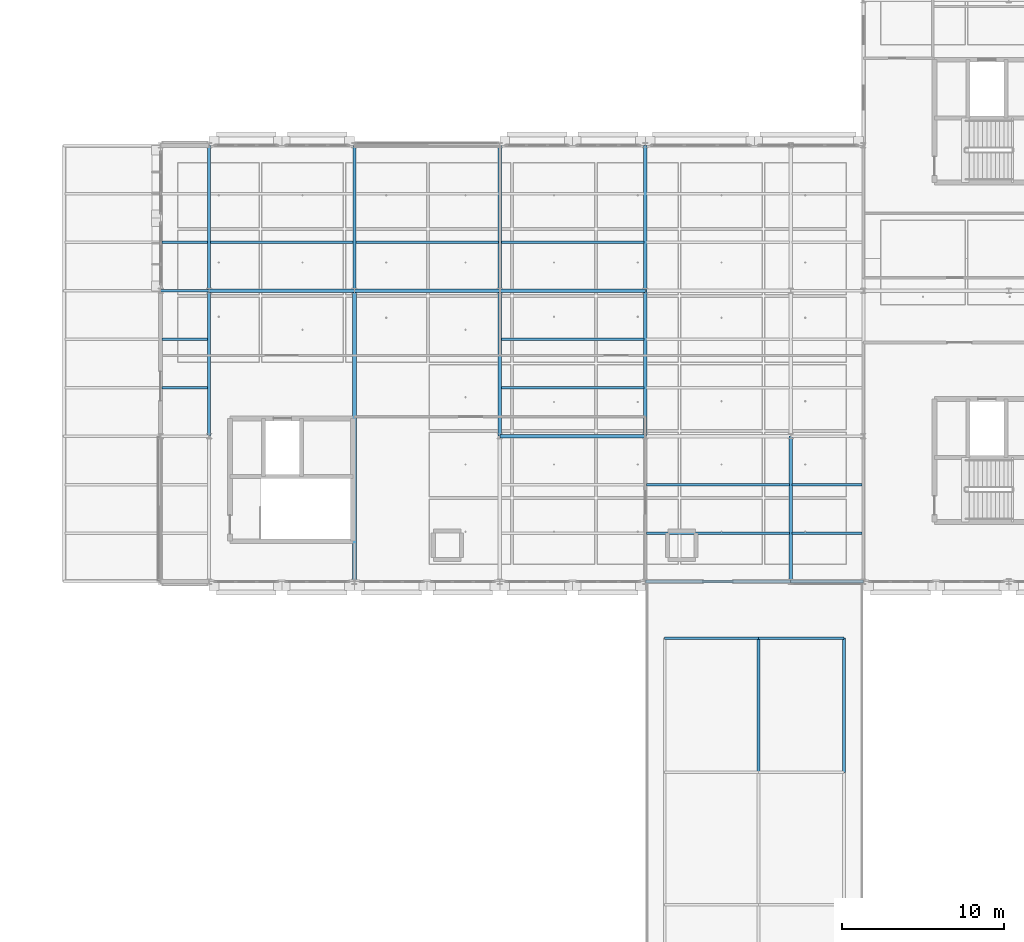
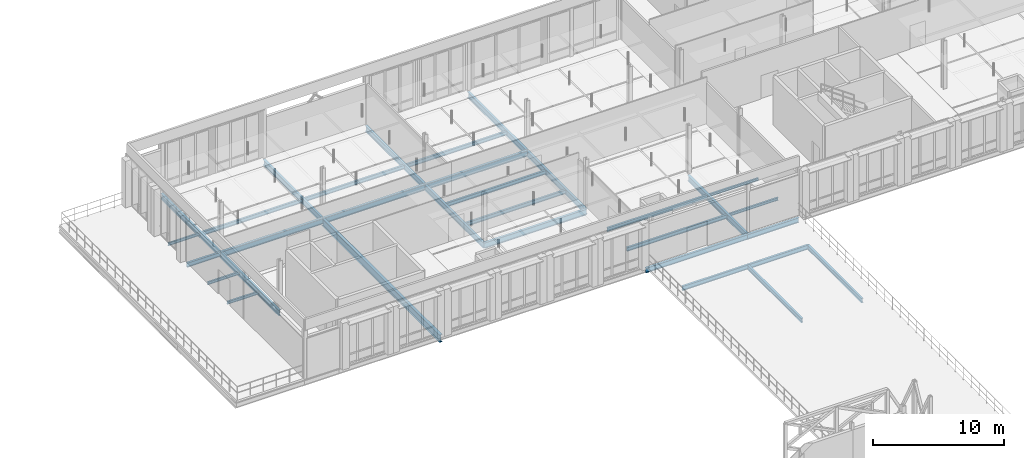
# One storey, part 24 of 89: 32 beams.
"""IFC4 building model written with IfcOpenShell, lengths in metres."""

from ifc_helpers import new_model, si_unit, direction, frame, origin, origin_2d, place, context, subcontext, project, spatial, i_section, extrude, material, material_profile, profile_set, type_object, element, save


model = new_model("IFC4")

# Units and contexts
model_context = context("Model", 3, precision=1e-05, world=origin(), true_north=direction((0.0, 1.0)))
body_context = subcontext(model_context, "Body", "Model", "MODEL_VIEW")
ifc_project = project(units=[si_unit("LENGTHUNIT", "METRE"), si_unit("AREAUNIT", "SQUARE_METRE"), si_unit("VOLUMEUNIT", "CUBIC_METRE"), si_unit("PLANEANGLEUNIT", "RADIAN"), si_unit("MASSUNIT", "GRAM", prefix="KILO"), si_unit("THERMODYNAMICTEMPERATUREUNIT", "KELVIN"), si_unit("POWERUNIT", "WATT")], contexts=[model_context])

# Site, building, storey
site_placement = place(None, origin())
site = spatial("IfcSite", under=ifc_project, at=site_placement, CompositionType="ELEMENT")
building_placement = place(site_placement, origin())
building = spatial("IfcBuilding", under=site, at=building_placement, Name="Tallowbark Science Centre", CompositionType="ELEMENT")
storey_placement = place(building_placement, frame((0.0, 0.0, 14.39990234375)))
storey = spatial("IfcBuildingStorey", under=building, at=storey_placement, Name="L03", CompositionType="ELEMENT", Elevation=14.39990234375)

# Beams
ifc_material = material(Name="Structural Steel Grade 300PLUS (300 MPa)", Category="steel")
ifc_material_profile_1 = material_profile(ifc_material, i_section(OverallWidth=0.177734375, OverallDepth=0.406494140625, WebThickness=0.0078125, FlangeThickness=0.0126953125, FilletRadius=0.011474609375, at=origin_2d()), Name="410UB59.7")
ifc_profile_set_1 = profile_set([ifc_material_profile_1], Name="Structural Steel Grade 300PLUS (300 MPa)")
beam_type_1 = type_object("IfcBeamType", Name="BM-UB410", PredefinedType="BEAM", material=ifc_profile_set_1)
beam_1_placement = place(storey_placement, frame((100.199951171875, 68.5, -0.447998046875), z_axis=(1.0, 0.0, 0.0), x_axis=(0.0, 1.0, 0.0)))
element("IfcBeam", 1, at=beam_1_placement, inside=storey, type_object=beam_type_1, Name="Primary Girder GRDX-L03-1002-1060-685", PredefinedType="BEAM", context=body_context, shape_type="SweptSolid", body=[
    extrude(i_section(OverallWidth=0.177734375, OverallDepth=0.406494140625, WebThickness=0.0078125, FlangeThickness=0.0126953125, FilletRadius=0.011474609375, at=origin_2d()), origin(), (0.0, 0.0, 1.0), 5.800048828125),
])
beam_2_placement = place(storey_placement, frame((106.0, 68.5, -0.447998046875), z_axis=(1.0, 0.0, 0.0), x_axis=(0.0, 1.0, 0.0)))
element("IfcBeam", 2, at=beam_2_placement, inside=storey, type_object=beam_type_1, Name="Primary Girder GRDX-L03-1060-1113-685", PredefinedType="BEAM", context=body_context, shape_type="SweptSolid", body=[
    extrude(i_section(OverallWidth=0.177734375, OverallDepth=0.406494140625, WebThickness=0.0078125, FlangeThickness=0.0126953125, FilletRadius=0.011474609375, at=origin_2d()), origin(), (0.0, 0.0, 1.0), 5.300048828125),
])
beam_3_placement = place(storey_placement, frame((69.0, 90.0, -0.383056640625), z_axis=(1.0, 0.0, 0.0), x_axis=(0.0, 1.0, 0.0)))
element("IfcBeam", 3, at=beam_3_placement, inside=storey, type_object=beam_type_1, Name="Primary Girder GRDX-L03-690-720-900", PredefinedType="BEAM", context=body_context, shape_type="SweptSolid", body=[
    extrude(i_section(OverallWidth=0.177734375, OverallDepth=0.406494140625, WebThickness=0.0078125, FlangeThickness=0.0126953125, FilletRadius=0.011474609375, at=origin_2d()), origin(), (0.0, 0.0, 1.0), 3.0),
])
for number, where, z_axis, x_axis, name in (
    (4, (106.0, 60.199951171875, -0.447998046875), (0.0, 1.0, 0.0), (-1.0, 0.0, 0.0), "Primary Girder GRDY-L03-1060-602-685"),
    (5, (111.300048828125, 60.199951171875, -0.447998046875), (0.0, 1.0, 0.0), (-1.0, 0.0, 0.0), "Primary Girder GRDY-L03-1113-602-685"),
):
    element("IfcBeam", number, at=place(storey_placement, frame(where, z_axis=z_axis, x_axis=x_axis)), inside=storey, type_object=beam_type_1, Name=name, PredefinedType="BEAM", context=body_context, shape_type="SweptSolid", body=[
        extrude(i_section(OverallWidth=0.177734375, OverallDepth=0.406494140625, WebThickness=0.0078125, FlangeThickness=0.0126953125, FilletRadius=0.011474609375, at=origin_2d()), origin(), (0.0, 0.0, 1.0), 8.300048828125),
    ])
ifc_material_profile_2 = material_profile(ifc_material, i_section(OverallWidth=0.208984375, OverallDepth=0.532958984375, WebThickness=0.01025390625, FlangeThickness=0.015625, FilletRadius=0.013916015625, at=origin_2d()), Name="530UB92.4")
ifc_profile_set_2 = profile_set([ifc_material_profile_2], Name="Structural Steel Grade 300PLUS (300 MPa)")
beam_type_2 = type_object("IfcBeamType", Name="BM-UB530A", PredefinedType="BEAM", material=ifc_profile_set_2)
for number, where, z_axis, x_axis, name in (
    (6, (90.0, 81.0, -0.4462890625), (1.0, 0.0, 0.0), (0.0, 1.0, 0.0), "Primary Girder GRDX-L03-900-990-810"),
    (7, (72.0, 90.0, -0.4462890625), (1.0, 0.0, 0.0), (0.0, 1.0, 0.0), "Primary Girder GRDX-L03-720-810-900"),
    (8, (81.0, 90.0, -0.4462890625), (1.0, 0.0, 0.0), (0.0, 1.0, 0.0), "Primary Girder GRDX-L03-810-900-900"),
    (9, (90.0, 90.0, -0.4462890625), (1.0, 0.0, 0.0), (0.0, 1.0, 0.0), "Primary Girder GRDX-L03-900-990-900"),
):
    element("IfcBeam", number, at=place(storey_placement, frame(where, z_axis=z_axis, x_axis=x_axis)), inside=storey, type_object=beam_type_2, Name=name, PredefinedType="BEAM", context=body_context, shape_type="SweptSolid", body=[
        extrude(i_section(OverallWidth=0.208984375, OverallDepth=0.532958984375, WebThickness=0.01025390625, FlangeThickness=0.015625, FilletRadius=0.013916015625, at=origin_2d()), origin(), (0.0, 0.0, 1.0), 9.0),
    ])
ifc_material_profile_3 = material_profile(ifc_material, i_section(OverallWidth=0.208740234375, OverallDepth=0.5283203125, WebThickness=0.009521484375, FlangeThickness=0.01318359375, FilletRadius=0.013916015625, at=origin_2d()), Name="530UB82.0")
ifc_profile_set_3 = profile_set([ifc_material_profile_3], Name="Structural Steel Grade 300PLUS (300 MPa)")
beam_type_3 = type_object("IfcBeamType", Name="BM-UB530B", PredefinedType="BEAM", material=ifc_profile_set_3)
for number, where, z_axis, x_axis, name in (
    (10, (72.0, 81.0, -0.444091796875), (0.0, 1.0, 0.0), (-1.0, 0.0, 0.0), "Primary Girder GRDY-L03-720-810-900"),
    (11, (72.0, 90.0, -0.444091796875), (0.0, 1.0, 0.0), (-1.0, 0.0, 0.0), "Primary Girder GRDY-L03-720-900-990"),
    (12, (81.0, 90.0, -0.444091796875), (0.0, 1.0, 0.0), (-1.0, 0.0, 0.0), "Primary Girder GRDY-L03-810-900-990"),
    (13, (90.0, 81.0, -0.444091796875), (0.0, 1.0, 0.0), (-1.0, 0.0, 0.0), "Primary Girder GRDY-L03-900-810-900"),
    (14, (90.0, 90.0, -0.444091796875), (0.0, 1.0, 0.0), (-1.0, 0.0, 0.0), "Primary Girder GRDY-L03-900-900-990"),
    (15, (99.0, 81.0, -0.444091796875), (0.0, 1.0, 0.0), (-1.0, 0.0, 0.0), "Primary Girder GRDY-L03-990-810-900"),
    (16, (99.0, 90.0, -0.444091796875), (0.0, 1.0, 0.0), (-1.0, 0.0, 0.0), "Primary Girder GRDY-L03-990-900-990"),
    (17, (108.0, 72.0, -0.444091796875), (0.0, 1.0, 0.0), (-1.0, 0.0, 0.0), "Primary Girder GRDY-L03-1080-720-810"),
):
    element("IfcBeam", number, at=place(storey_placement, frame(where, z_axis=z_axis, x_axis=x_axis)), inside=storey, type_object=beam_type_3, Name=name, PredefinedType="BEAM", context=body_context, shape_type="SweptSolid", body=[
        extrude(i_section(OverallWidth=0.208740234375, OverallDepth=0.5283203125, WebThickness=0.009521484375, FlangeThickness=0.01318359375, FilletRadius=0.013916015625, at=origin_2d()), origin(), (0.0, 0.0, 1.0), 9.0),
    ])
ifc_material_profile_4 = material_profile(ifc_material, i_section(OverallWidth=0.25, OverallDepth=0.699951171875, WebThickness=0.010009765625, FlangeThickness=0.02001953125, FilletRadius=0.013916015625, at=origin_2d()), Name="700WB130")
ifc_profile_set_4 = profile_set([ifc_material_profile_4], Name="Structural Steel Grade 300PLUS (300 MPa)")
beam_type_4 = type_object("IfcBeamType", Name="BM-WB700", PredefinedType="BEAM", material=ifc_profile_set_4)
beam_4_placement = place(storey_placement, frame((81.0, 72.0, -0.52978515625), z_axis=(0.0, 1.0, 0.0), x_axis=(-1.0, 0.0, 0.0)))
element("IfcBeam", 18, at=beam_4_placement, inside=storey, type_object=beam_type_4, Name="Primary Girder GRDY-L03-810-720-900", PredefinedType="BEAM", context=body_context, shape_type="SweptSolid", body=[
    extrude(i_section(OverallWidth=0.25, OverallDepth=0.699951171875, WebThickness=0.010009765625, FlangeThickness=0.02001953125, FilletRadius=0.013916015625, at=origin_2d()), origin(), (0.0, 0.0, 1.0), 18.0),
])
ifc_material_profile_5 = material_profile(ifc_material, i_section(OverallWidth=0.146484375, OverallDepth=0.256103515625, WebThickness=0.00634765625, FlangeThickness=0.010986328125, FilletRadius=0.0087890625, at=origin_2d()), Name="250UB37.3")
ifc_profile_set_5 = profile_set([ifc_material_profile_5], Name="Structural Steel Grade 300PLUS (300 MPa)")
beam_type_5 = type_object("IfcBeamType", Name="JST-UB250", PredefinedType="JOIST", material=ifc_profile_set_5)
for number, where, z_axis, x_axis, name in (
    (19, (108.0849609375, 75.0, -0.30810546875), (1.0, 0.0, 0.0), (0.0, 1.0, 0.0), "Composite Floor Joist JSTX-L03-1080-750"),
    (20, (108.0849609375, 78.0, -0.30810546875), (1.0, 0.0, 0.0), (0.0, 1.0, 0.0), "Composite Floor Joist JSTX-L03-1080-780"),
):
    element("IfcBeam", number, at=place(storey_placement, frame(where, z_axis=z_axis, x_axis=x_axis)), inside=storey, type_object=beam_type_5, Name=name, PredefinedType="JOIST", context=body_context, shape_type="SweptSolid", body=[
        extrude(i_section(OverallWidth=0.146484375, OverallDepth=0.256103515625, WebThickness=0.00634765625, FlangeThickness=0.010986328125, FilletRadius=0.0087890625, at=origin_2d()), origin(), (0.0, 0.0, 1.0), 4.330078125),
    ])
for number, where, z_axis, x_axis, name in (
    (21, (69.0849609375, 84.0, -0.30810546875), (1.0, 0.0, 0.0), (0.0, 1.0, 0.0), "Composite Floor Joist JSTX-L03-690-840"),
    (22, (69.0849609375, 87.0, -0.30810546875), (1.0, 0.0, 0.0), (0.0, 1.0, 0.0), "Composite Floor Joist JSTX-L03-690-870"),
    (23, (69.0849609375, 93.0, -0.30810546875), (1.0, 0.0, 0.0), (0.0, 1.0, 0.0), "Composite Floor Joist JSTX-L03-690-930"),
):
    element("IfcBeam", number, at=place(storey_placement, frame(where, z_axis=z_axis, x_axis=x_axis)), inside=storey, type_object=beam_type_5, Name=name, PredefinedType="JOIST", context=body_context, shape_type="SweptSolid", body=[
        extrude(i_section(OverallWidth=0.146484375, OverallDepth=0.256103515625, WebThickness=0.00634765625, FlangeThickness=0.010986328125, FilletRadius=0.0087890625, at=origin_2d()), origin(), (0.0, 0.0, 1.0), 2.830078125),
    ])
ifc_material_profile_6 = material_profile(ifc_material, i_section(OverallWidth=0.172119140625, OverallDepth=0.358642578125, WebThickness=0.008056640625, FlangeThickness=0.012939453125, FilletRadius=0.011474609375, at=origin_2d()), Name="360UB56.7")
ifc_profile_set_6 = profile_set([ifc_material_profile_6], Name="Structural Steel Grade 300PLUS (300 MPa)")
beam_type_6 = type_object("IfcBeamType", Name="JST-UB360", PredefinedType="JOIST", material=ifc_profile_set_6)
for number, where, z_axis, x_axis, name in (
    (24, (99.0849609375, 75.0, -0.359130859375), (1.0, 0.0, 0.0), (0.0, 1.0, 0.0), "Composite Floor Joist JSTX-L03-990-750"),
    (25, (99.0849609375, 78.0, -0.359130859375), (1.0, 0.0, 0.0), (0.0, 1.0, 0.0), "Composite Floor Joist JSTX-L03-990-780"),
    (26, (90.0849609375, 84.0, -0.359130859375), (1.0, 0.0, 0.0), (0.0, 1.0, 0.0), "Composite Floor Joist JSTX-L03-900-840"),
    (27, (90.0849609375, 87.0, -0.359130859375), (1.0, 0.0, 0.0), (0.0, 1.0, 0.0), "Composite Floor Joist JSTX-L03-900-870"),
    (28, (72.0849609375, 93.0, -0.359130859375), (1.0, 0.0, 0.0), (0.0, 1.0, 0.0), "Composite Floor Joist JSTX-L03-720-930"),
    (29, (81.0849609375, 93.0, -0.359130859375), (1.0, 0.0, 0.0), (0.0, 1.0, 0.0), "Composite Floor Joist JSTX-L03-810-930"),
    (30, (90.0849609375, 93.0, -0.359130859375), (1.0, 0.0, 0.0), (0.0, 1.0, 0.0), "Composite Floor Joist JSTX-L03-900-930"),
):
    element("IfcBeam", number, at=place(storey_placement, frame(where, z_axis=z_axis, x_axis=x_axis)), inside=storey, type_object=beam_type_6, Name=name, PredefinedType="JOIST", context=body_context, shape_type="SweptSolid", body=[
        extrude(i_section(OverallWidth=0.172119140625, OverallDepth=0.358642578125, WebThickness=0.008056640625, FlangeThickness=0.012939453125, FilletRadius=0.011474609375, at=origin_2d()), origin(), (0.0, 0.0, 1.0), 8.830078125),
    ])
ifc_material_profile_7 = material_profile(ifc_material, i_section(OverallWidth=0.18994140625, OverallDepth=0.453857421875, WebThickness=0.008544921875, FlangeThickness=0.0126953125, FilletRadius=0.011474609375, at=origin_2d()), Name="460UB67.1")
ifc_profile_set_7 = profile_set([ifc_material_profile_7], Name="Structural Steel Grade 300PLUS (300 MPa)")
beam_type_7 = type_object("IfcBeamType", Name="SPN-UB460", PredefinedType="SPANDREL", material=ifc_profile_set_7)
beam_5_placement = place(storey_placement, frame((99.0, 72.0, -0.471923828125), z_axis=(1.0, 0.0, 0.0), x_axis=(0.0, 1.0, 0.0)))
element("IfcBeam", 31, at=beam_5_placement, inside=storey, type_object=beam_type_7, Name="Primary Girder GRDX-L03-990-1080-720", PredefinedType="SPANDREL", context=body_context, shape_type="SweptSolid", body=[
    extrude(i_section(OverallWidth=0.18994140625, OverallDepth=0.453857421875, WebThickness=0.008544921875, FlangeThickness=0.0126953125, FilletRadius=0.011474609375, at=origin_2d()), origin(), (0.0, 0.0, 1.0), 9.0),
])
beam_6_placement = place(storey_placement, frame((108.0, 72.0, -0.471923828125), z_axis=(1.0, 0.0, 0.0), x_axis=(0.0, 1.0, 0.0)))
element("IfcBeam", 32, at=beam_6_placement, inside=storey, type_object=beam_type_7, Name="Primary Girder GRDX-L03-1080-1125-720", PredefinedType="SPANDREL", context=body_context, shape_type="SweptSolid", body=[
    extrude(i_section(OverallWidth=0.18994140625, OverallDepth=0.453857421875, WebThickness=0.008544921875, FlangeThickness=0.0126953125, FilletRadius=0.011474609375, at=origin_2d()), origin(), (0.0, 0.0, 1.0), 4.5),
])

save(model, "model.ifc")
